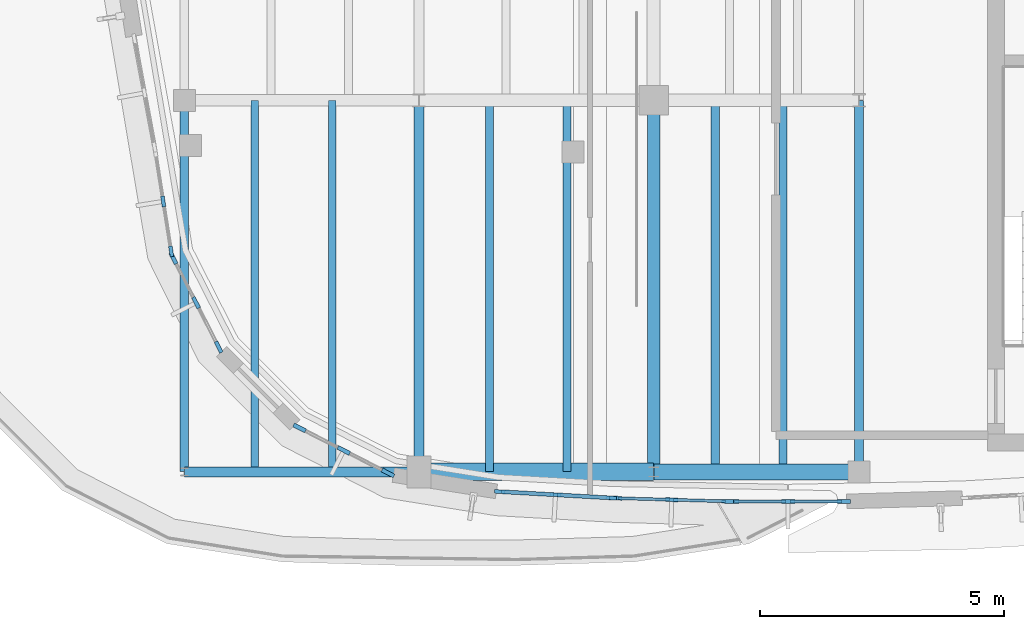
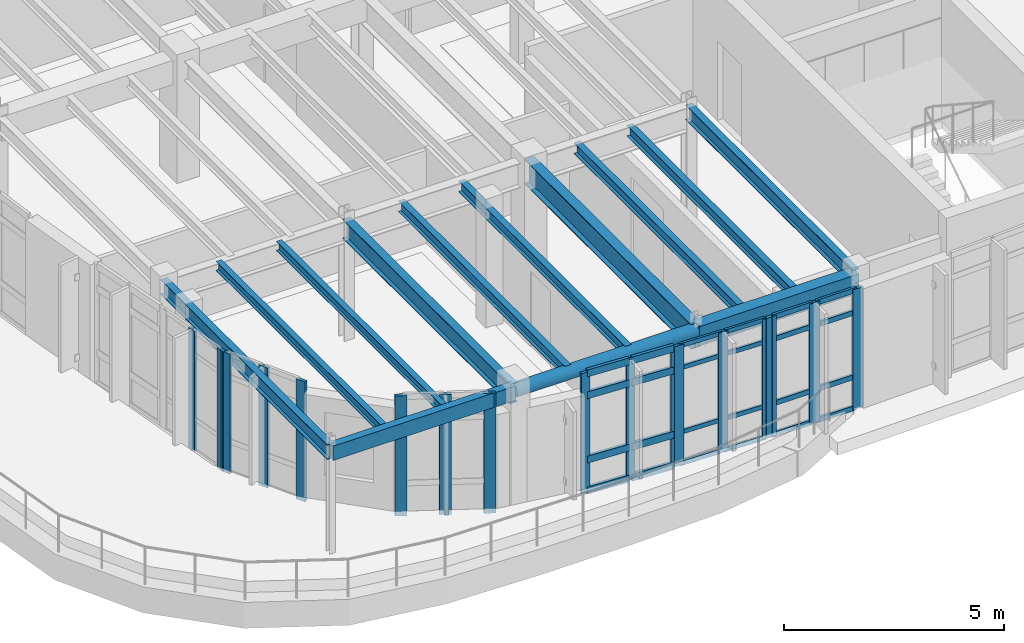
# One storey, part 8 of 30: 41 members, 13 beams, 6 elements without a shape of their own.
"""IFC4 building model written with IfcOpenShell, lengths in metres."""

from ifc_helpers import new_model, si_unit, direction, frame, origin, origin_2d, place, context, subcontext, project, spatial, rectangle, hollow_rectangle, hollow_circle, i_section, extrude, material, material_profile, profile_set, type_object, element, aggregate, save


model = new_model("IFC4")

# Units and contexts
model_context = context("Model", 3, precision=1e-05, world=origin(), true_north=direction((0.0, 1.0)))
body_context = subcontext(model_context, "Body", "Model", "MODEL_VIEW")
ifc_project = project(units=[si_unit("LENGTHUNIT", "METRE"), si_unit("AREAUNIT", "SQUARE_METRE"), si_unit("VOLUMEUNIT", "CUBIC_METRE"), si_unit("PLANEANGLEUNIT", "RADIAN"), si_unit("MASSUNIT", "GRAM", prefix="KILO")], contexts=[model_context])

# Site, building, storey
site_placement = place(None, origin())
site = spatial("IfcSite", under=ifc_project, at=site_placement, CompositionType="ELEMENT")
building_placement = place(site_placement, origin())
building = spatial("IfcBuilding", under=site, at=building_placement, Name="Corveleigh Park Community Centre", CompositionType="ELEMENT")
storey_placement = place(building_placement, frame((0.0, 0.0, 12.60009765625)))
storey = spatial("IfcBuildingStorey", under=building, at=storey_placement, Name="L03", CompositionType="ELEMENT", Elevation=12.60009765625)

# Beams
ifc_material_1 = material(Name="Steel S355", Category="steel")
ifc_material_profile_1 = material_profile(ifc_material_1, i_section(OverallWidth=0.147216796875, OverallDepth=0.259521484375, WebThickness=0.007080078125, FlangeThickness=0.0126953125, at=origin_2d()), Name="UKB 254x146x43", Category="steel")
ifc_profile_set_1 = profile_set([ifc_material_profile_1], Name="Steel S355")
beam_type_1 = type_object("IfcBeamType", Name="BM-STL-UKB254x43", PredefinedType="JOIST", material=ifc_profile_set_1)
for number, where, z_axis, x_axis, name in (
    (1, (145.639892578125, 58.60498046875, 3.20703125), (0.0, 1.0, 0.0), (-1.0, 0.0, 0.0), "Secondary floor joist"),
    (2, (147.22412109375, 58.60498046875, 3.20703125), (0.0, 1.0, 0.0), (-1.0, 0.0, 0.0), "Secondary floor joist"),
):
    element("IfcBeam", number, at=place(storey_placement, frame(where, z_axis=z_axis, x_axis=x_axis)), inside=storey, type_object=beam_type_1, Name=name, PredefinedType="JOIST", context=body_context, shape_type="SweptSolid", body=[
        extrude(i_section(OverallWidth=0.147216796875, OverallDepth=0.259521484375, WebThickness=0.007080078125, FlangeThickness=0.0126953125, at=origin_2d()), origin(), (0.0, 0.0, 1.0), 7.590087890625),
    ])
ifc_material_profile_2 = material_profile(ifc_material_1, i_section(OverallWidth=0.1650390625, OverallDepth=0.303466796875, WebThickness=0.006103515625, FlangeThickness=0.01025390625, at=origin_2d()), Name="UKB 305x165x40", Category="steel")
ifc_profile_set_2 = profile_set([ifc_material_profile_2], Name="Steel S355")
beam_type_2 = type_object("IfcBeamType", Name="BM-STL-UKB305x40", PredefinedType="JOIST", material=ifc_profile_set_2)
for number, where, z_axis, x_axis, name in (
    (3, (150.43994140625, 58.60498046875, 3.185302734375), (0.0, 1.0, 0.0), (-1.0, 0.0, 0.0), "Secondary floor joist"),
    (4, (152.02392578125, 58.60498046875, 3.185302734375), (0.0, 1.0, 0.0), (-1.0, 0.0, 0.0), "Secondary floor joist"),
):
    element("IfcBeam", number, at=place(storey_placement, frame(where, z_axis=z_axis, x_axis=x_axis)), inside=storey, type_object=beam_type_2, Name=name, PredefinedType="JOIST", context=body_context, shape_type="SweptSolid", body=[
        extrude(i_section(OverallWidth=0.1650390625, OverallDepth=0.303466796875, WebThickness=0.006103515625, FlangeThickness=0.01025390625, at=origin_2d()), origin(), (0.0, 0.0, 1.0), 7.590087890625),
    ])
ifc_material_profile_3 = material_profile(ifc_material_1, i_section(OverallWidth=0.165771484375, OverallDepth=0.306640625, WebThickness=0.006591796875, FlangeThickness=0.01171875, at=origin_2d()), Name="UKB 305x165x46", Category="steel")
ifc_profile_set_3 = profile_set([ifc_material_profile_3], Name="Steel S355")
beam_type_3 = type_object("IfcBeamType", Name="BM-STL-UKB305x46", PredefinedType="JOIST", material=ifc_profile_set_3)
for number, where, z_axis, x_axis, name in (
    (5, (155.06005859375, 58.60498046875, 3.18359375), (0.0, 1.0, 0.0), (-1.0, 0.0, 0.0), "Secondary floor joist"),
    (6, (156.446044921875, 58.60498046875, 3.18359375), (0.0, 1.0, 0.0), (-1.0, 0.0, 0.0), "Secondary floor joist"),
):
    element("IfcBeam", number, at=place(storey_placement, frame(where, z_axis=z_axis, x_axis=x_axis)), inside=storey, type_object=beam_type_3, Name=name, PredefinedType="JOIST", context=body_context, shape_type="SweptSolid", body=[
        extrude(i_section(OverallWidth=0.165771484375, OverallDepth=0.306640625, WebThickness=0.006591796875, FlangeThickness=0.01171875, at=origin_2d()), origin(), (0.0, 0.0, 1.0), 7.590087890625),
    ])
ifc_material_profile_4 = material_profile(ifc_material_1, i_section(OverallWidth=0.1787109375, OverallDepth=0.409423828125, WebThickness=0.0087890625, FlangeThickness=0.014404296875, at=origin_2d()), Name="UKB 406x178x67", Category="steel")
ifc_profile_set_4 = profile_set([ifc_material_profile_4], Name="Steel S355")
beam_type_4 = type_object("IfcBeamType", Name="BM-STL-UKB406x67", PredefinedType="BEAM", material=ifc_profile_set_4)
beam_1_placement = place(storey_placement, frame((144.199951171875, 58.60498046875, 3.13232421875), z_axis=(0.0, 1.0, 0.0), x_axis=(-1.0, 0.0, 0.0)))
element("IfcBeam", 7, at=beam_1_placement, inside=storey, type_object=beam_type_4, Name="V4 Girder Y", PredefinedType="BEAM", context=body_context, shape_type="SweptSolid", body=[
    extrude(i_section(OverallWidth=0.1787109375, OverallDepth=0.409423828125, WebThickness=0.0087890625, FlangeThickness=0.014404296875, at=origin_2d()), origin(), (0.0, 0.0, 1.0), 7.590087890625),
])
ifc_material_profile_5 = material_profile(ifc_material_1, i_section(OverallWidth=0.179443359375, OverallDepth=0.412841796875, WebThickness=0.009521484375, FlangeThickness=0.01611328125, at=origin_2d()), Name="UKB 406x178x74", Category="steel")
ifc_profile_set_5 = profile_set([ifc_material_profile_5], Name="Steel S355")
beam_type_5 = type_object("IfcBeamType", Name="BM-STL-UKB406x74", PredefinedType="BEAM", material=ifc_profile_set_5)
beam_2_placement = place(storey_placement, frame((158.0, 58.60498046875, 3.150390625), z_axis=(0.0, 1.0, 0.0), x_axis=(-1.0, 0.0, 0.0)))
element("IfcBeam", 8, at=beam_2_placement, inside=storey, type_object=beam_type_5, Name="V4 Girder Y", PredefinedType="BEAM", context=body_context, shape_type="SweptSolid", body=[
    extrude(i_section(OverallWidth=0.179443359375, OverallDepth=0.412841796875, WebThickness=0.009521484375, FlangeThickness=0.01611328125, at=origin_2d()), origin(), (0.0, 0.0, 1.0), 7.590087890625),
])
ifc_material_profile_6 = material_profile(ifc_material_1, i_section(OverallWidth=0.209228515625, OverallDepth=0.533203125, WebThickness=0.010009765625, FlangeThickness=0.015625, at=origin_2d()), Name="UKB 533x210x92", Category="steel")
ifc_profile_set_6 = profile_set([ifc_material_profile_6], Name="Steel S355")
beam_type_6 = type_object("IfcBeamType", Name="BM-STL-UKB533x92", PredefinedType="BEAM", material=ifc_profile_set_6)
beam_3_placement = place(storey_placement, frame((149.0, 58.60498046875, 3.0703125), z_axis=(0.0, 1.0, 0.0), x_axis=(-1.0, 0.0, 0.0)))
element("IfcBeam", 9, at=beam_3_placement, inside=storey, type_object=beam_type_6, Name="V4 Girder Y", PredefinedType="BEAM", context=body_context, shape_type="SweptSolid", body=[
    extrude(i_section(OverallWidth=0.209228515625, OverallDepth=0.533203125, WebThickness=0.010009765625, FlangeThickness=0.015625, at=origin_2d()), origin(), (0.0, 0.0, 1.0), 7.590087890625),
])
ifc_material_profile_7 = material_profile(ifc_material_1, i_section(OverallWidth=0.25439453125, OverallDepth=0.6875, WebThickness=0.01318359375, FlangeThickness=0.02099609375, at=origin_2d()), Name="UKB 686x254x152", Category="steel")
ifc_profile_set_7 = profile_set([ifc_material_profile_7], Name="Steel S355")
beam_type_7 = type_object("IfcBeamType", Name="BM-STL-UKB686x152", PredefinedType="BEAM", material=ifc_profile_set_7)
beam_4_placement = place(storey_placement, frame((153.800048828125, 58.60498046875, 2.9931640625), z_axis=(0.0, 1.0, 0.0), x_axis=(-1.0, 0.0, 0.0)))
element("IfcBeam", 10, at=beam_4_placement, inside=storey, type_object=beam_type_7, Name="V4 Girder Y", PredefinedType="BEAM", context=body_context, shape_type="SweptSolid", body=[
    extrude(i_section(OverallWidth=0.25439453125, OverallDepth=0.6875, WebThickness=0.01318359375, FlangeThickness=0.02099609375, at=origin_2d()), origin(), (0.0, 0.0, 1.0), 7.590087890625),
])

# Curtain wall, members
ifc_material_2 = material(Name="Anodised aluminium 6063-T6", Category="aluminium")
curtain_wall_type = type_object("IfcCurtainWallType", Name="CW-SYS-V4-L03", PredefinedType="NOTDEFINED", material=ifc_material_2)
curtain_wall_1_placement = place(storey_placement, origin())
curtain_wall_1 = element("IfcCurtainWall", 11, at=curtain_wall_1_placement, inside=storey, type_object=curtain_wall_type, Name="V4 L03 Curtain Wall 400", PredefinedType="NOTDEFINED")
ifc_material_profile_8 = material_profile(ifc_material_2, rectangle(XDim=0.074951171875, YDim=0.219970703125, at=origin_2d()), Name="ALU-M75x220", Category="aluminium")
ifc_profile_set_8 = profile_set([ifc_material_profile_8], Name="Anodised aluminium 6063-T6")
member_type_1 = type_object("IfcMemberType", Name="CWM-75x220", PredefinedType="MULLION", material=ifc_profile_set_8)
member_1_placement = place(storey_placement, frame((152.931640625, 58.068115234375, 0.0), z_axis=(0.0, 0.0, 1.0), x_axis=(-0.056433508651, -0.998406359706, 0.0)))
member_1 = element("IfcMember", 12, at=member_1_placement, type_object=member_type_1, Name="CW09 mullion 1", PredefinedType="MULLION", context=body_context, shape_type="SweptSolid", body=[
    extrude(rectangle(XDim=0.074951171875, YDim=0.219970703125, at=origin_2d()), origin(), (0.0, 0.0, 1.0), 3.3369140625),
])
member_2_placement = place(storey_placement, frame((151.79248046875, 58.132568359375, 0.0), z_axis=(0.0, 0.0, 1.0), x_axis=(-0.056433508651, -0.998406359706, 0.0)))
member_2 = element("IfcMember", 13, at=member_2_placement, type_object=member_type_1, Name="CW09 mullion 2", PredefinedType="MULLION", context=body_context, shape_type="SweptSolid", body=[
    extrude(rectangle(XDim=0.074951171875, YDim=0.219970703125, at=origin_2d()), origin(), (0.0, 0.0, 1.0), 3.3369140625),
])
member_3_placement = place(storey_placement, frame((150.6533203125, 58.19677734375, 0.0), z_axis=(0.0, 0.0, 1.0), x_axis=(-0.056433508651, -0.998406359706, 0.0)))
member_3 = element("IfcMember", 14, at=member_3_placement, type_object=member_type_1, Name="CW09 mullion 3", PredefinedType="MULLION", context=body_context, shape_type="SweptSolid", body=[
    extrude(rectangle(XDim=0.074951171875, YDim=0.219970703125, at=origin_2d()), origin(), (0.0, 0.0, 1.0), 3.3369140625),
])

curtain_wall_2_placement = place(storey_placement, origin())
curtain_wall_2 = element("IfcCurtainWall", 15, at=curtain_wall_2_placement, inside=storey, type_object=curtain_wall_type, Name="V4 L03 Curtain Wall 436", PredefinedType="NOTDEFINED")
member_4_placement = place(storey_placement, frame((143.93115234375, 63.112060546875, 0.0), z_axis=(0.0, 0.0, 1.0), x_axis=(-0.987626350225, -0.15682535618, 0.0)))
member_4 = element("IfcMember", 16, at=member_4_placement, type_object=member_type_1, Name="CW09 mullion 1", PredefinedType="MULLION", context=body_context, shape_type="SweptSolid", body=[
    extrude(rectangle(XDim=0.074951171875, YDim=0.219970703125, at=origin_2d()), origin(), (0.0, 0.0, 1.0), 3.3369140625),
])
member_5_placement = place(storey_placement, frame((143.76904296875, 64.133056640625, 0.0), z_axis=(0.0, 0.0, 1.0), x_axis=(-0.987626350225, -0.15682535618, 0.0)))
member_5 = element("IfcMember", 17, at=member_5_placement, type_object=member_type_1, Name="CW09 mullion 2", PredefinedType="MULLION", context=body_context, shape_type="SweptSolid", body=[
    extrude(rectangle(XDim=0.074951171875, YDim=0.219970703125, at=origin_2d()), origin(), (0.0, 0.0, 1.0), 3.3369140625),
])
aggregate(curtain_wall_2, [member_4, member_5])

curtain_wall_3_placement = place(storey_placement, origin())
curtain_wall_3 = element("IfcCurtainWall", 18, at=curtain_wall_3_placement, inside=storey, type_object=curtain_wall_type, Name="V4 L03 Curtain Wall 401", PredefinedType="NOTDEFINED")
ifc_material_profile_9 = material_profile(ifc_material_2, rectangle(XDim=0.080078125, YDim=0.25, at=origin_2d()), Name="ALU-M80x250", Category="aluminium")
ifc_profile_set_9 = profile_set([ifc_material_profile_9], Name="Anodised aluminium 6063-T6")
member_type_2 = type_object("IfcMemberType", Name="CWM-80x250", PredefinedType="MULLION", material=ifc_profile_set_9)
member_6_placement = place(storey_placement, frame((155.31005859375, 57.998046875, 0.0), z_axis=(0.0, 0.0, 1.0), x_axis=(-0.028765070498, -0.999586199744, 0.0)))
member_6 = element("IfcMember", 19, at=member_6_placement, type_object=member_type_2, Name="CW09 mullion 1", PredefinedType="MULLION", context=body_context, shape_type="SweptSolid", body=[
    extrude(rectangle(XDim=0.080078125, YDim=0.25, at=origin_2d()), origin(), (0.0, 0.0, 1.0), 3.3369140625),
])
member_7_placement = place(storey_placement, frame((154.16845703125, 58.031005859375, 0.0), z_axis=(0.0, 0.0, 1.0), x_axis=(-0.028765070498, -0.999586199744, 0.0)))
member_7 = element("IfcMember", 20, at=member_7_placement, type_object=member_type_2, Name="CW09 mullion 2", PredefinedType="MULLION", context=body_context, shape_type="SweptSolid", body=[
    extrude(rectangle(XDim=0.080078125, YDim=0.25, at=origin_2d()), origin(), (0.0, 0.0, 1.0), 3.3369140625),
])
member_8_placement = place(storey_placement, frame((153.027099609375, 58.06396484375, 0.0), z_axis=(0.0, 0.0, 1.0), x_axis=(-0.028765070498, -0.999586199744, 0.0)))
member_8 = element("IfcMember", 21, at=member_8_placement, type_object=member_type_2, Name="CW09 mullion 3", PredefinedType="MULLION", context=body_context, shape_type="SweptSolid", body=[
    extrude(rectangle(XDim=0.080078125, YDim=0.25, at=origin_2d()), origin(), (0.0, 0.0, 1.0), 3.3369140625),
])

curtain_wall_4_placement = place(storey_placement, origin())
curtain_wall_4 = element("IfcCurtainWall", 22, at=curtain_wall_4_placement, inside=storey, type_object=curtain_wall_type, Name="V4 L03 Curtain Wall 437", PredefinedType="NOTDEFINED")
member_9_placement = place(storey_placement, frame((144.90185546875, 61.155517578125, 0.0), z_axis=(0.0, 0.0, 1.0), x_axis=(-0.890898639119, -0.454202173945, 0.0)))
member_9 = element("IfcMember", 23, at=member_9_placement, type_object=member_type_2, Name="CW09 mullion 1", PredefinedType="MULLION", context=body_context, shape_type="SweptSolid", body=[
    extrude(rectangle(XDim=0.080078125, YDim=0.25, at=origin_2d()), origin(), (0.0, 0.0, 1.0), 3.3369140625),
])
member_10_placement = place(storey_placement, frame((144.43994140625, 62.0615234375, 0.0), z_axis=(0.0, 0.0, 1.0), x_axis=(-0.890898639119, -0.454202173945, 0.0)))
member_10 = element("IfcMember", 24, at=member_10_placement, type_object=member_type_2, Name="CW09 mullion 2", PredefinedType="MULLION", context=body_context, shape_type="SweptSolid", body=[
    extrude(rectangle(XDim=0.080078125, YDim=0.25, at=origin_2d()), origin(), (0.0, 0.0, 1.0), 3.3369140625),
])
member_11_placement = place(storey_placement, frame((143.978271484375, 62.96728515625, 0.0), z_axis=(0.0, 0.0, 1.0), x_axis=(-0.890898639119, -0.454202173945, 0.0)))
member_11 = element("IfcMember", 25, at=member_11_placement, type_object=member_type_2, Name="CW09 mullion 3", PredefinedType="MULLION", context=body_context, shape_type="SweptSolid", body=[
    extrude(rectangle(XDim=0.080078125, YDim=0.25, at=origin_2d()), origin(), (0.0, 0.0, 1.0), 3.3369140625),
])
aggregate(curtain_wall_4, [member_9, member_10, member_11])

curtain_wall_5_placement = place(storey_placement, origin())
curtain_wall_5 = element("IfcCurtainWall", 26, at=curtain_wall_5_placement, inside=storey, type_object=curtain_wall_type, Name="V4 L03 Curtain Wall 402", PredefinedType="NOTDEFINED")
ifc_material_profile_10 = material_profile(ifc_material_2, rectangle(XDim=0.0849609375, YDim=0.27490234375, at=origin_2d()), Name="ALU-M85x275", Category="aluminium")
ifc_profile_set_10 = profile_set([ifc_material_profile_10], Name="Anodised aluminium 6063-T6")
member_type_3 = type_object("IfcMemberType", Name="CWM-85x275", PredefinedType="MULLION", material=ifc_profile_set_10)
member_12_placement = place(storey_placement, frame((157.689453125, 57.9970703125, 0.0), z_axis=(0.0, 0.0, 1.0), x_axis=(0.0, -1.0, 0.0)))
member_12 = element("IfcMember", 27, at=member_12_placement, type_object=member_type_3, Name="CW09 mullion 1", PredefinedType="MULLION", context=body_context, shape_type="SweptSolid", body=[
    extrude(rectangle(XDim=0.0849609375, YDim=0.27490234375, at=origin_2d()), origin(), (0.0, 0.0, 1.0), 3.3369140625),
])
member_13_placement = place(storey_placement, frame((156.550048828125, 57.9970703125, 0.0), z_axis=(0.0, 0.0, 1.0), x_axis=(0.0, -1.0, 0.0)))
member_13 = element("IfcMember", 28, at=member_13_placement, type_object=member_type_3, Name="CW09 mullion 2", PredefinedType="MULLION", context=body_context, shape_type="SweptSolid", body=[
    extrude(rectangle(XDim=0.0849609375, YDim=0.27490234375, at=origin_2d()), origin(), (0.0, 0.0, 1.0), 3.3369140625),
])
member_14_placement = place(storey_placement, frame((155.410400390625, 57.9970703125, 0.0), z_axis=(0.0, 0.0, 1.0), x_axis=(0.0, -1.0, 0.0)))
member_14 = element("IfcMember", 29, at=member_14_placement, type_object=member_type_3, Name="CW09 mullion 3", PredefinedType="MULLION", context=body_context, shape_type="SweptSolid", body=[
    extrude(rectangle(XDim=0.0849609375, YDim=0.27490234375, at=origin_2d()), origin(), (0.0, 0.0, 1.0), 3.3369140625),
])

curtain_wall_6_placement = place(storey_placement, origin())
curtain_wall_6 = element("IfcCurtainWall", 30, at=curtain_wall_6_placement, inside=storey, type_object=curtain_wall_type, Name="V4 L03 Curtain Wall 438", PredefinedType="NOTDEFINED")
member_15_placement = place(storey_placement, frame((148.365234375, 58.579345703125, 0.0), z_axis=(0.0, 0.0, 1.0), x_axis=(-0.454202173945, -0.890898639119, 0.0)))
member_15 = element("IfcMember", 31, at=member_15_placement, type_object=member_type_3, Name="CW09 mullion 1", PredefinedType="MULLION", context=body_context, shape_type="SweptSolid", body=[
    extrude(rectangle(XDim=0.0849609375, YDim=0.27490234375, at=origin_2d()), origin(), (0.0, 0.0, 1.0), 3.3369140625),
])
member_16_placement = place(storey_placement, frame((147.46142578125, 59.0400390625, 0.0), z_axis=(0.0, 0.0, 1.0), x_axis=(-0.454202173945, -0.890898639119, 0.0)))
member_16 = element("IfcMember", 32, at=member_16_placement, type_object=member_type_3, Name="CW09 mullion 2", PredefinedType="MULLION", context=body_context, shape_type="SweptSolid", body=[
    extrude(rectangle(XDim=0.0849609375, YDim=0.27490234375, at=origin_2d()), origin(), (0.0, 0.0, 1.0), 3.3369140625),
])
member_17_placement = place(storey_placement, frame((146.557861328125, 59.500732421875, 0.0), z_axis=(0.0, 0.0, 1.0), x_axis=(-0.454202173945, -0.890898639119, 0.0)))
member_17 = element("IfcMember", 33, at=member_17_placement, type_object=member_type_3, Name="CW09 mullion 3", PredefinedType="MULLION", context=body_context, shape_type="SweptSolid", body=[
    extrude(rectangle(XDim=0.0849609375, YDim=0.27490234375, at=origin_2d()), origin(), (0.0, 0.0, 1.0), 3.3369140625),
])
aggregate(curtain_wall_6, [member_15, member_16, member_17])

# Member
ifc_material_profile_11 = material_profile(ifc_material_2, rectangle(XDim=0.06005859375, YDim=0.1201171875, at=origin_2d()), Name="ALU-T60x120", Category="aluminium")
ifc_profile_set_11 = profile_set([ifc_material_profile_11], Name="Anodised aluminium 6063-T6")
member_type_4 = type_object("IfcMemberType", Name="CWT-60x120", PredefinedType="USERDEFINED", material=ifc_profile_set_11)
member_18_placement = place(storey_placement, frame((155.27001953125, 57.999267578125, 0.02978515625), z_axis=(-0.999587007795, 0.028736976995, 0.0), x_axis=(-0.028736976995, -0.999587007795, 0.0)))
member_18 = element("IfcMember", 34, at=member_18_placement, type_object=member_type_4, Name="CW09 transom 1.1", ObjectType="TRANSOM", PredefinedType="USERDEFINED", context=body_context, shape_type="SweptSolid", body=[
    extrude(rectangle(XDim=0.06005859375, YDim=0.1201171875, at=origin_2d()), origin(), (0.0, 0.0, 1.0), 1.06201171875),
])

member_19_placement = place(storey_placement, frame((155.27001953125, 57.999267578125, 0.89990234375), z_axis=(-0.999587007795, 0.028736976995, 0.0), x_axis=(-0.028736976995, -0.999587007795, 0.0)))
member_19 = element("IfcMember", 35, at=member_19_placement, type_object=member_type_4, Name="CW09 transom 1.2", ObjectType="TRANSOM", PredefinedType="USERDEFINED", context=body_context, shape_type="SweptSolid", body=[
    extrude(rectangle(XDim=0.06005859375, YDim=0.1201171875, at=origin_2d()), origin(), (0.0, 0.0, 1.0), 1.06201171875),
])

member_20_placement = place(storey_placement, frame((155.27001953125, 57.999267578125, 2.68701171875), z_axis=(-0.999587007795, 0.028736976995, 0.0), x_axis=(-0.028736976995, -0.999587007795, 0.0)))
member_20 = element("IfcMember", 36, at=member_20_placement, type_object=member_type_4, Name="CW09 transom 1.3", ObjectType="TRANSOM", PredefinedType="USERDEFINED", context=body_context, shape_type="SweptSolid", body=[
    extrude(rectangle(XDim=0.06005859375, YDim=0.1201171875, at=origin_2d()), origin(), (0.0, 0.0, 1.0), 1.06201171875),
])

member_21_placement = place(storey_placement, frame((155.27001953125, 57.999267578125, 3.306884765625), z_axis=(-0.999587007795, 0.028736976995, 0.0), x_axis=(-0.028736976995, -0.999587007795, 0.0)))
member_21 = element("IfcMember", 37, at=member_21_placement, type_object=member_type_4, Name="CW09 transom 1.4", ObjectType="TRANSOM", PredefinedType="USERDEFINED", context=body_context, shape_type="SweptSolid", body=[
    extrude(rectangle(XDim=0.06005859375, YDim=0.1201171875, at=origin_2d()), origin(), (0.0, 0.0, 1.0), 1.06201171875),
])

member_22_placement = place(storey_placement, frame((154.12841796875, 58.0322265625, 0.02978515625), z_axis=(-0.999587007795, 0.028736976995, 0.0), x_axis=(-0.028736976995, -0.999587007795, 0.0)))
member_22 = element("IfcMember", 38, at=member_22_placement, type_object=member_type_4, Name="CW09 transom 2.1", ObjectType="TRANSOM", PredefinedType="USERDEFINED", context=body_context, shape_type="SweptSolid", body=[
    extrude(rectangle(XDim=0.06005859375, YDim=0.1201171875, at=origin_2d()), origin(), (0.0, 0.0, 1.0), 1.06201171875),
])

member_23_placement = place(storey_placement, frame((154.12841796875, 58.0322265625, 0.89990234375), z_axis=(-0.999587007795, 0.028736976995, 0.0), x_axis=(-0.028736976995, -0.999587007795, 0.0)))
member_23 = element("IfcMember", 39, at=member_23_placement, type_object=member_type_4, Name="CW09 transom 2.2", ObjectType="TRANSOM", PredefinedType="USERDEFINED", context=body_context, shape_type="SweptSolid", body=[
    extrude(rectangle(XDim=0.06005859375, YDim=0.1201171875, at=origin_2d()), origin(), (0.0, 0.0, 1.0), 1.06201171875),
])

member_24_placement = place(storey_placement, frame((154.12841796875, 58.0322265625, 2.68701171875), z_axis=(-0.999587007795, 0.028736976995, 0.0), x_axis=(-0.028736976995, -0.999587007795, 0.0)))
member_24 = element("IfcMember", 40, at=member_24_placement, type_object=member_type_4, Name="CW09 transom 2.3", ObjectType="TRANSOM", PredefinedType="USERDEFINED", context=body_context, shape_type="SweptSolid", body=[
    extrude(rectangle(XDim=0.06005859375, YDim=0.1201171875, at=origin_2d()), origin(), (0.0, 0.0, 1.0), 1.06201171875),
])

member_25_placement = place(storey_placement, frame((154.12841796875, 58.0322265625, 3.306884765625), z_axis=(-0.999587007795, 0.028736976995, 0.0), x_axis=(-0.028736976995, -0.999587007795, 0.0)))
member_25 = element("IfcMember", 41, at=member_25_placement, type_object=member_type_4, Name="CW09 transom 2.4", ObjectType="TRANSOM", PredefinedType="USERDEFINED", context=body_context, shape_type="SweptSolid", body=[
    extrude(rectangle(XDim=0.06005859375, YDim=0.1201171875, at=origin_2d()), origin(), (0.0, 0.0, 1.0), 1.06201171875),
])

aggregate(curtain_wall_3, [member_6, member_7, member_8, member_18, member_19, member_20, member_21, member_22, member_23, member_24, member_25])

ifc_material_profile_12 = material_profile(ifc_material_2, rectangle(XDim=0.06494140625, YDim=0.139892578125, at=origin_2d()), Name="ALU-T65x140", Category="aluminium")
ifc_profile_set_12 = profile_set([ifc_material_profile_12], Name="Anodised aluminium 6063-T6")
member_type_5 = type_object("IfcMemberType", Name="CWT-65x140", PredefinedType="USERDEFINED", material=ifc_profile_set_12)
member_26_placement = place(storey_placement, frame((157.64697265625, 57.9970703125, 0.032470703125), z_axis=(-1.0, 0.0, 0.0), x_axis=(0.0, -1.0, 0.0)))
member_26 = element("IfcMember", 42, at=member_26_placement, type_object=member_type_5, Name="CW09 transom 1.1", ObjectType="TRANSOM", PredefinedType="USERDEFINED", context=body_context, shape_type="SweptSolid", body=[
    extrude(rectangle(XDim=0.06494140625, YDim=0.139892578125, at=origin_2d()), origin(), (0.0, 0.0, 1.0), 1.054443359375),
])

member_27_placement = place(storey_placement, frame((157.64697265625, 57.9970703125, 0.89990234375), z_axis=(-1.0, 0.0, 0.0), x_axis=(0.0, -1.0, 0.0)))
member_27 = element("IfcMember", 43, at=member_27_placement, type_object=member_type_5, Name="CW09 transom 1.2", ObjectType="TRANSOM", PredefinedType="USERDEFINED", context=body_context, shape_type="SweptSolid", body=[
    extrude(rectangle(XDim=0.06494140625, YDim=0.139892578125, at=origin_2d()), origin(), (0.0, 0.0, 1.0), 1.054443359375),
])

member_28_placement = place(storey_placement, frame((157.64697265625, 57.9970703125, 2.68701171875), z_axis=(-1.0, 0.0, 0.0), x_axis=(0.0, -1.0, 0.0)))
member_28 = element("IfcMember", 44, at=member_28_placement, type_object=member_type_5, Name="CW09 transom 1.3", ObjectType="TRANSOM", PredefinedType="USERDEFINED", context=body_context, shape_type="SweptSolid", body=[
    extrude(rectangle(XDim=0.06494140625, YDim=0.139892578125, at=origin_2d()), origin(), (0.0, 0.0, 1.0), 1.054443359375),
])

member_29_placement = place(storey_placement, frame((157.64697265625, 57.9970703125, 3.304443359375), z_axis=(-1.0, 0.0, 0.0), x_axis=(0.0, -1.0, 0.0)))
member_29 = element("IfcMember", 45, at=member_29_placement, type_object=member_type_5, Name="CW09 transom 1.4", ObjectType="TRANSOM", PredefinedType="USERDEFINED", context=body_context, shape_type="SweptSolid", body=[
    extrude(rectangle(XDim=0.06494140625, YDim=0.139892578125, at=origin_2d()), origin(), (0.0, 0.0, 1.0), 1.054443359375),
])

member_30_placement = place(storey_placement, frame((156.507568359375, 57.9970703125, 0.032470703125), z_axis=(-1.0, 0.0, 0.0), x_axis=(0.0, -1.0, 0.0)))
member_30 = element("IfcMember", 46, at=member_30_placement, type_object=member_type_5, Name="CW09 transom 2.1", ObjectType="TRANSOM", PredefinedType="USERDEFINED", context=body_context, shape_type="SweptSolid", body=[
    extrude(rectangle(XDim=0.06494140625, YDim=0.139892578125, at=origin_2d()), origin(), (0.0, 0.0, 1.0), 1.0546875),
])

member_31_placement = place(storey_placement, frame((156.507568359375, 57.9970703125, 0.89990234375), z_axis=(-1.0, 0.0, 0.0), x_axis=(0.0, -1.0, 0.0)))
member_31 = element("IfcMember", 47, at=member_31_placement, type_object=member_type_5, Name="CW09 transom 2.2", ObjectType="TRANSOM", PredefinedType="USERDEFINED", context=body_context, shape_type="SweptSolid", body=[
    extrude(rectangle(XDim=0.06494140625, YDim=0.139892578125, at=origin_2d()), origin(), (0.0, 0.0, 1.0), 1.0546875),
])

member_32_placement = place(storey_placement, frame((156.507568359375, 57.9970703125, 2.68701171875), z_axis=(-1.0, 0.0, 0.0), x_axis=(0.0, -1.0, 0.0)))
member_32 = element("IfcMember", 48, at=member_32_placement, type_object=member_type_5, Name="CW09 transom 2.3", ObjectType="TRANSOM", PredefinedType="USERDEFINED", context=body_context, shape_type="SweptSolid", body=[
    extrude(rectangle(XDim=0.06494140625, YDim=0.139892578125, at=origin_2d()), origin(), (0.0, 0.0, 1.0), 1.0546875),
])

member_33_placement = place(storey_placement, frame((156.507568359375, 57.9970703125, 3.304443359375), z_axis=(-1.0, 0.0, 0.0), x_axis=(0.0, -1.0, 0.0)))
member_33 = element("IfcMember", 49, at=member_33_placement, type_object=member_type_5, Name="CW09 transom 2.4", ObjectType="TRANSOM", PredefinedType="USERDEFINED", context=body_context, shape_type="SweptSolid", body=[
    extrude(rectangle(XDim=0.06494140625, YDim=0.139892578125, at=origin_2d()), origin(), (0.0, 0.0, 1.0), 1.0546875),
])

aggregate(curtain_wall_5, [member_12, member_13, member_14, member_26, member_27, member_28, member_29, member_30, member_31, member_32, member_33])

ifc_material_profile_13 = material_profile(ifc_material_2, rectangle(XDim=0.080078125, YDim=0.195068359375, at=origin_2d()), Name="ALU-T80x195", Category="aluminium")
ifc_profile_set_13 = profile_set([ifc_material_profile_13], Name="Anodised aluminium 6063-T6")
member_type_6 = type_object("IfcMemberType", Name="CWT-80x195", PredefinedType="USERDEFINED", material=ifc_profile_set_13)
member_34_placement = place(storey_placement, frame((152.89404296875, 58.0703125, 0.039794921875), z_axis=(-0.998411341313, 0.056345306254, 0.0), x_axis=(-0.056345306254, -0.998411341313, 0.0)))
member_34 = element("IfcMember", 50, at=member_34_placement, type_object=member_type_6, Name="CW09 transom 1.1", ObjectType="TRANSOM", PredefinedType="USERDEFINED", context=body_context, shape_type="SweptSolid", body=[
    extrude(rectangle(XDim=0.080078125, YDim=0.195068359375, at=origin_2d()), origin(), (0.0, 0.0, 1.0), 1.06591796875),
])

member_35_placement = place(storey_placement, frame((152.89404296875, 58.0703125, 0.89990234375), z_axis=(-0.998411341313, 0.056345306254, 0.0), x_axis=(-0.056345306254, -0.998411341313, 0.0)))
member_35 = element("IfcMember", 51, at=member_35_placement, type_object=member_type_6, Name="CW09 transom 1.2", ObjectType="TRANSOM", PredefinedType="USERDEFINED", context=body_context, shape_type="SweptSolid", body=[
    extrude(rectangle(XDim=0.080078125, YDim=0.195068359375, at=origin_2d()), origin(), (0.0, 0.0, 1.0), 1.06591796875),
])

member_36_placement = place(storey_placement, frame((152.89404296875, 58.0703125, 2.68701171875), z_axis=(-0.998411341313, 0.056345306254, 0.0), x_axis=(-0.056345306254, -0.998411341313, 0.0)))
member_36 = element("IfcMember", 52, at=member_36_placement, type_object=member_type_6, Name="CW09 transom 1.3", ObjectType="TRANSOM", PredefinedType="USERDEFINED", context=body_context, shape_type="SweptSolid", body=[
    extrude(rectangle(XDim=0.080078125, YDim=0.195068359375, at=origin_2d()), origin(), (0.0, 0.0, 1.0), 1.06591796875),
])

member_37_placement = place(storey_placement, frame((152.89404296875, 58.0703125, 3.296875), z_axis=(-0.998411341313, 0.056345306254, 0.0), x_axis=(-0.056345306254, -0.998411341313, 0.0)))
member_37 = element("IfcMember", 53, at=member_37_placement, type_object=member_type_6, Name="CW09 transom 1.4", ObjectType="TRANSOM", PredefinedType="USERDEFINED", context=body_context, shape_type="SweptSolid", body=[
    extrude(rectangle(XDim=0.080078125, YDim=0.195068359375, at=origin_2d()), origin(), (0.0, 0.0, 1.0), 1.06591796875),
])

member_38_placement = place(storey_placement, frame((151.755126953125, 58.134521484375, 0.039794921875), z_axis=(-0.998398430212, 0.056573620615, 0.0), x_axis=(-0.056573620615, -0.998398430212, 0.0)))
member_38 = element("IfcMember", 54, at=member_38_placement, type_object=member_type_6, Name="CW09 transom 2.1", ObjectType="TRANSOM", PredefinedType="USERDEFINED", context=body_context, shape_type="SweptSolid", body=[
    extrude(rectangle(XDim=0.080078125, YDim=0.195068359375, at=origin_2d()), origin(), (0.0, 0.0, 1.0), 1.06591796875),
])

member_39_placement = place(storey_placement, frame((151.755126953125, 58.134521484375, 0.89990234375), z_axis=(-0.998398430212, 0.056573620615, 0.0), x_axis=(-0.056573620615, -0.998398430212, 0.0)))
member_39 = element("IfcMember", 55, at=member_39_placement, type_object=member_type_6, Name="CW09 transom 2.2", ObjectType="TRANSOM", PredefinedType="USERDEFINED", context=body_context, shape_type="SweptSolid", body=[
    extrude(rectangle(XDim=0.080078125, YDim=0.195068359375, at=origin_2d()), origin(), (0.0, 0.0, 1.0), 1.06591796875),
])

member_40_placement = place(storey_placement, frame((151.755126953125, 58.134521484375, 2.68701171875), z_axis=(-0.998398430212, 0.056573620615, 0.0), x_axis=(-0.056573620615, -0.998398430212, 0.0)))
member_40 = element("IfcMember", 56, at=member_40_placement, type_object=member_type_6, Name="CW09 transom 2.3", ObjectType="TRANSOM", PredefinedType="USERDEFINED", context=body_context, shape_type="SweptSolid", body=[
    extrude(rectangle(XDim=0.080078125, YDim=0.195068359375, at=origin_2d()), origin(), (0.0, 0.0, 1.0), 1.06591796875),
])

member_41_placement = place(storey_placement, frame((151.755126953125, 58.134521484375, 3.296875), z_axis=(-0.998398430212, 0.056573620615, 0.0), x_axis=(-0.056573620615, -0.998398430212, 0.0)))
member_41 = element("IfcMember", 57, at=member_41_placement, type_object=member_type_6, Name="CW09 transom 2.4", ObjectType="TRANSOM", PredefinedType="USERDEFINED", context=body_context, shape_type="SweptSolid", body=[
    extrude(rectangle(XDim=0.080078125, YDim=0.195068359375, at=origin_2d()), origin(), (0.0, 0.0, 1.0), 1.06591796875),
])

aggregate(curtain_wall_1, [member_1, member_2, member_3, member_34, member_35, member_36, member_37, member_38, member_39, member_40, member_41])

# Beams
ifc_material_3 = material(Name="Concrete C40/50", Category="concrete")
ifc_material_profile_14 = material_profile(ifc_material_3, rectangle(XDim=0.320068359375, YDim=0.5400390625, at=origin_2d()), Name="RC-320x540", Category="concrete")
ifc_profile_set_14 = profile_set([ifc_material_profile_14], Name="Concrete C40/50")
beam_type_8 = type_object("IfcBeamType", Name="SP-RC-320x540", PredefinedType="SPANDREL", material=ifc_profile_set_14)
beam_5_placement = place(storey_placement, frame((153.804931640625, 58.60009765625, 3.06689453125), z_axis=(1.0, 0.0, 0.0), x_axis=(0.0, 1.0, 0.0)))
element("IfcBeam", 58, at=beam_5_placement, inside=storey, type_object=beam_type_8, Name="V4 Girder X", PredefinedType="SPANDREL", context=body_context, shape_type="SweptSolid", body=[
    extrude(rectangle(XDim=0.320068359375, YDim=0.5400390625, at=origin_2d()), origin(), (0.0, 0.0, 1.0), 4.190185546875),
])
ifc_material_profile_15 = material_profile(ifc_material_1, hollow_circle(Radius=0.177734375, WallThickness=0.01611328125, at=origin_2d()), Name="CHS 355.6x16.0", Category="steel")
ifc_profile_set_15 = profile_set([ifc_material_profile_15], Name="Steel S355")
beam_type_9 = type_object("IfcBeamType", Name="SP-STL-CHS356R", PredefinedType="SPANDREL", material=ifc_profile_set_15)
beam_6_placement = place(storey_placement, frame((149.0048828125, 58.60009765625, 3.1591796875), z_axis=(1.0, 0.0, 0.0), x_axis=(0.0, 1.0, 0.0)))
element("IfcBeam", 59, at=beam_6_placement, inside=storey, type_object=beam_type_9, Name="V4 Girder X", PredefinedType="SPANDREL", context=body_context, shape_type="SweptSolid", body=[
    extrude(hollow_circle(Radius=0.177734375, WallThickness=0.01611328125, at=origin_2d()), origin(), (0.0, 0.0, 1.0), 4.7900390625),
])
ifc_material_profile_16 = material_profile(ifc_material_1, hollow_rectangle(XDim=0.199951171875, YDim=0.39990234375, WallThickness=0.012451171875, at=origin_2d()), Name="RHS 400x200x12.5", Category="steel")
ifc_profile_set_16 = profile_set([ifc_material_profile_16], Name="Steel S355")
beam_type_10 = type_object("IfcBeamType", Name="SP-STL-RHS400x200", PredefinedType="SPANDREL", material=ifc_profile_set_16)
beam_7_placement = place(storey_placement, frame((144.205078125, 58.60009765625, 3.136962890625), z_axis=(1.0, 0.0, 0.0), x_axis=(0.0, 1.0, 0.0)))
element("IfcBeam", 60, at=beam_7_placement, inside=storey, type_object=beam_type_10, Name="V4 Girder X", PredefinedType="SPANDREL", context=body_context, shape_type="SweptSolid", body=[
    extrude(hollow_rectangle(XDim=0.199951171875, YDim=0.39990234375, WallThickness=0.012451171875, at=origin_2d()), origin(), (0.0, 0.0, 1.0), 4.7900390625),
])

save(model, "model.ifc")
